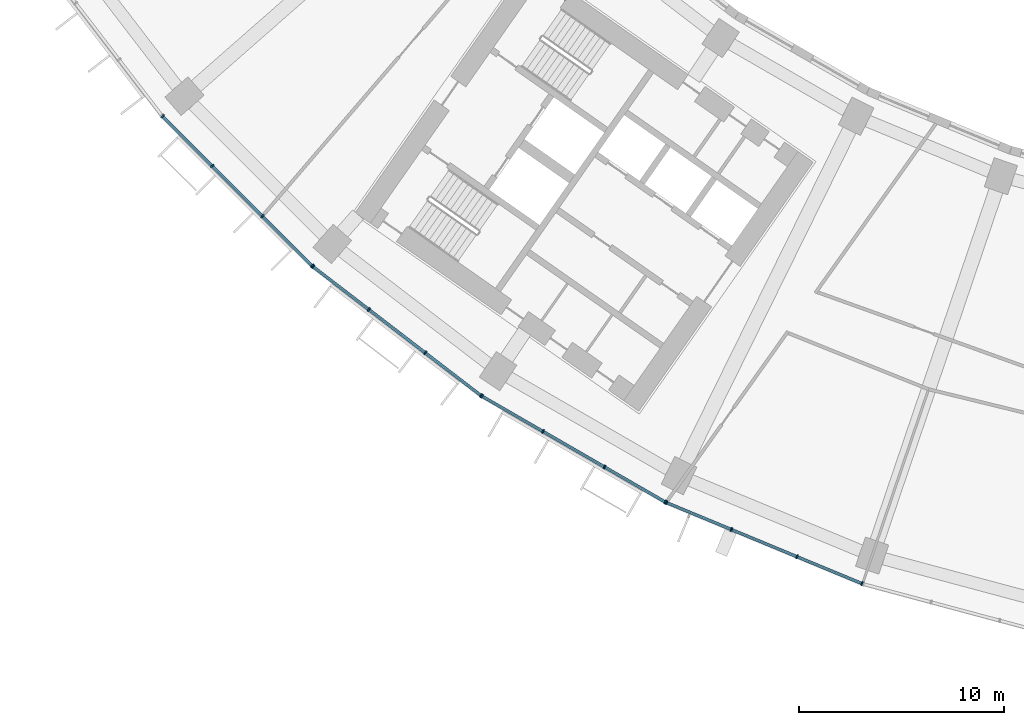
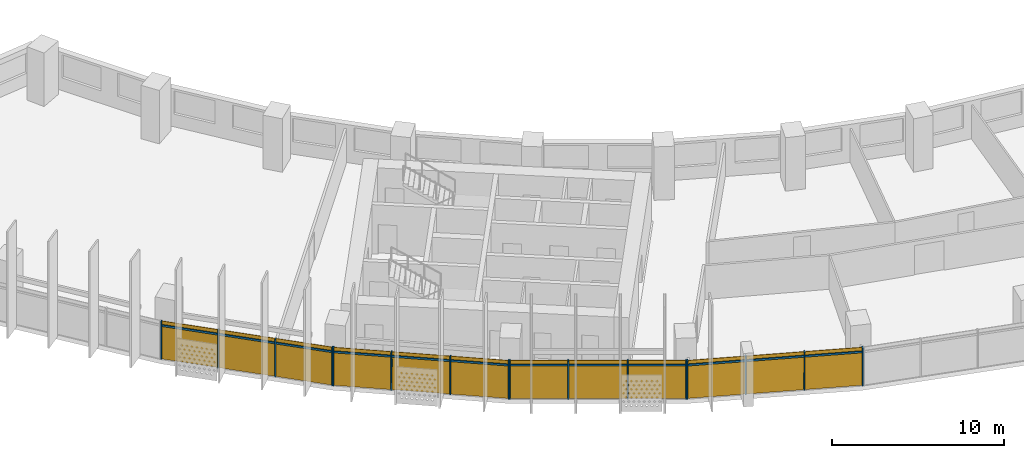
# One storey, part 18 of 30: 28 members, 4 curtain walls.
"""IFC4 building model written with IfcOpenShell, lengths in metres."""

from ifc_helpers import new_model, si_unit, direction, frame, origin, origin_2d, place, context, subcontext, project, spatial, rectangle, extrude, material, material_profile, profile_set, type_object, element, aggregate, save


model = new_model("IFC4")

# Units and contexts
model_context = context("Model", 3, precision=1e-05, world=origin(), true_north=direction((0.0, 1.0)))
body_context = subcontext(model_context, "Body", "Model", "MODEL_VIEW")
ifc_project = project(units=[si_unit("LENGTHUNIT", "METRE"), si_unit("AREAUNIT", "SQUARE_METRE"), si_unit("VOLUMEUNIT", "CUBIC_METRE"), si_unit("PLANEANGLEUNIT", "RADIAN"), si_unit("MASSUNIT", "GRAM", prefix="KILO")], contexts=[model_context])

# Member
ifc_material = material(Name="Aluminium 6063-T6 anodised", Category="aluminium")
ifc_material_profile_1 = material_profile(ifc_material, rectangle(XDim=0.199951171875, YDim=0.070068359375, at=origin_2d()))
ifc_profile_set_1 = profile_set([ifc_material_profile_1], Name="Aluminium 6063-T6 anodised")
member_type_1 = type_object("IfcMemberType", Name="Mullion 70 x 200 aluminium", PredefinedType="MULLION", material=ifc_profile_set_1)
site_placement = place(None, origin())
building_placement = place(site_placement, origin())
storey_placement = place(building_placement, frame((0.0, 0.0, 102.5)))
member_1_placement = place(storey_placement, frame((-59.525390625, -52.240234375, 0.0), z_axis=(0.0, 0.0, 1.0), x_axis=(0.707106781187, 0.707106781187, 0.0)))
member_1 = element("IfcMember", 1, at=member_1_placement, type_object=member_type_1, Name="e-cw1-L22-out03/M00", PredefinedType="MULLION", context=body_context, shape_type="SweptSolid", body=[
    extrude(rectangle(XDim=0.199951171875, YDim=0.070068359375, at=origin_2d()), origin(), (0.0, 0.0, 1.0), 2.699951171875),
])

member_2_placement = place(storey_placement, frame((-57.105224609375, -54.660400390625, 0.0), z_axis=(0.0, 0.0, 1.0), x_axis=(0.707106781187, 0.707106781187, 0.0)))
member_2 = element("IfcMember", 2, at=member_2_placement, type_object=member_type_1, Name="e-cw1-L22-out03/M01", PredefinedType="MULLION", context=body_context, shape_type="SweptSolid", body=[
    extrude(rectangle(XDim=0.199951171875, YDim=0.070068359375, at=origin_2d()), origin(), (0.0, 0.0, 1.0), 2.699951171875),
])

member_3_placement = place(storey_placement, frame((-54.660400390625, -57.105224609375, 0.0), z_axis=(0.0, 0.0, 1.0), x_axis=(0.707106781187, 0.707106781187, 0.0)))
member_3 = element("IfcMember", 3, at=member_3_placement, type_object=member_type_1, Name="e-cw1-L22-out03/M02", PredefinedType="MULLION", context=body_context, shape_type="SweptSolid", body=[
    extrude(rectangle(XDim=0.199951171875, YDim=0.070068359375, at=origin_2d()), origin(), (0.0, 0.0, 1.0), 2.699951171875),
])

member_4_placement = place(storey_placement, frame((-52.240234375, -59.525390625, 0.0), z_axis=(0.0, 0.0, 1.0), x_axis=(0.707106781187, 0.707106781187, 0.0)))
member_4 = element("IfcMember", 4, at=member_4_placement, type_object=member_type_1, Name="e-cw1-L22-out03/M03", PredefinedType="MULLION", context=body_context, shape_type="SweptSolid", body=[
    extrude(rectangle(XDim=0.199951171875, YDim=0.070068359375, at=origin_2d()), origin(), (0.0, 0.0, 1.0), 2.699951171875),
])

member_5_placement = place(storey_placement, frame((-52.197509765625, -59.56298828125, 0.0), z_axis=(0.0, 0.0, 1.0), x_axis=(0.608761429009, 0.793353340291, 0.0)))
member_5 = element("IfcMember", 5, at=member_5_placement, type_object=member_type_1, Name="e-cw1-L22-out04/M00", PredefinedType="MULLION", context=body_context, shape_type="SweptSolid", body=[
    extrude(rectangle(XDim=0.199951171875, YDim=0.070068359375, at=origin_2d()), origin(), (0.0, 0.0, 1.0), 2.699951171875),
])

member_6_placement = place(storey_placement, frame((-49.482177734375, -61.646484375, 0.0), z_axis=(0.0, 0.0, 1.0), x_axis=(0.608761429009, 0.793353340291, 0.0)))
member_6 = element("IfcMember", 6, at=member_6_placement, type_object=member_type_1, Name="e-cw1-L22-out04/M01", PredefinedType="MULLION", context=body_context, shape_type="SweptSolid", body=[
    extrude(rectangle(XDim=0.199951171875, YDim=0.070068359375, at=origin_2d()), origin(), (0.0, 0.0, 1.0), 2.699951171875),
])

member_7_placement = place(storey_placement, frame((-46.739013671875, -63.751220703125, 0.0), z_axis=(0.0, 0.0, 1.0), x_axis=(0.608761429009, 0.793353340291, 0.0)))
member_7 = element("IfcMember", 7, at=member_7_placement, type_object=member_type_1, Name="e-cw1-L22-out04/M02", PredefinedType="MULLION", context=body_context, shape_type="SweptSolid", body=[
    extrude(rectangle(XDim=0.199951171875, YDim=0.070068359375, at=origin_2d()), origin(), (0.0, 0.0, 1.0), 2.699951171875),
])

member_8_placement = place(storey_placement, frame((-44.023681640625, -65.8349609375, 0.0), z_axis=(0.0, 0.0, 1.0), x_axis=(0.608761429009, 0.793353340291, 0.0)))
member_8 = element("IfcMember", 8, at=member_8_placement, type_object=member_type_1, Name="e-cw1-L22-out04/M03", PredefinedType="MULLION", context=body_context, shape_type="SweptSolid", body=[
    extrude(rectangle(XDim=0.199951171875, YDim=0.070068359375, at=origin_2d()), origin(), (0.0, 0.0, 1.0), 2.699951171875),
])

member_9_placement = place(storey_placement, frame((-43.976318359375, -65.866455078125, 0.0), z_axis=(0.0, 0.0, 1.0), x_axis=(0.5, 0.866025403784, 0.0)))
member_9 = element("IfcMember", 9, at=member_9_placement, type_object=member_type_1, Name="e-cw1-L22-out05/M00", PredefinedType="MULLION", context=body_context, shape_type="SweptSolid", body=[
    extrude(rectangle(XDim=0.199951171875, YDim=0.070068359375, at=origin_2d()), origin(), (0.0, 0.0, 1.0), 2.699951171875),
])

member_10_placement = place(storey_placement, frame((-41.01220703125, -67.577880859375, 0.0), z_axis=(0.0, 0.0, 1.0), x_axis=(0.5, 0.866025403784, 0.0)))
member_10 = element("IfcMember", 10, at=member_10_placement, type_object=member_type_1, Name="e-cw1-L22-out05/M01", PredefinedType="MULLION", context=body_context, shape_type="SweptSolid", body=[
    extrude(rectangle(XDim=0.199951171875, YDim=0.070068359375, at=origin_2d()), origin(), (0.0, 0.0, 1.0), 2.699951171875),
])

member_11_placement = place(storey_placement, frame((-38.017822265625, -69.306640625, 0.0), z_axis=(0.0, 0.0, 1.0), x_axis=(0.5, 0.866025403784, 0.0)))
member_11 = element("IfcMember", 11, at=member_11_placement, type_object=member_type_1, Name="e-cw1-L22-out05/M02", PredefinedType="MULLION", context=body_context, shape_type="SweptSolid", body=[
    extrude(rectangle(XDim=0.199951171875, YDim=0.070068359375, at=origin_2d()), origin(), (0.0, 0.0, 1.0), 2.699951171875),
])

member_12_placement = place(storey_placement, frame((-35.0537109375, -71.017822265625, 0.0), z_axis=(0.0, 0.0, 1.0), x_axis=(0.5, 0.866025403784, 0.0)))
member_12 = element("IfcMember", 12, at=member_12_placement, type_object=member_type_1, Name="e-cw1-L22-out05/M03", PredefinedType="MULLION", context=body_context, shape_type="SweptSolid", body=[
    extrude(rectangle(XDim=0.199951171875, YDim=0.070068359375, at=origin_2d()), origin(), (0.0, 0.0, 1.0), 2.699951171875),
])

member_13_placement = place(storey_placement, frame((-35.0029296875, -71.04296875, 0.0), z_axis=(0.0, 0.0, 1.0), x_axis=(0.382683432365, 0.923879532511, 0.0)))
member_13 = element("IfcMember", 13, at=member_13_placement, type_object=member_type_1, Name="e-cw1-L22-out06/M00", PredefinedType="MULLION", context=body_context, shape_type="SweptSolid", body=[
    extrude(rectangle(XDim=0.199951171875, YDim=0.070068359375, at=origin_2d()), origin(), (0.0, 0.0, 1.0), 2.699951171875),
])

member_14_placement = place(storey_placement, frame((-31.8408203125, -72.352783203125, 0.0), z_axis=(0.0, 0.0, 1.0), x_axis=(0.382683432365, 0.923879532511, 0.0)))
member_14 = element("IfcMember", 14, at=member_14_placement, type_object=member_type_1, Name="e-cw1-L22-out06/M01", PredefinedType="MULLION", context=body_context, shape_type="SweptSolid", body=[
    extrude(rectangle(XDim=0.199951171875, YDim=0.070068359375, at=origin_2d()), origin(), (0.0, 0.0, 1.0), 2.699951171875),
])

member_15_placement = place(storey_placement, frame((-28.646240234375, -73.676025390625, 0.0), z_axis=(0.0, 0.0, 1.0), x_axis=(0.382683432365, 0.923879532511, 0.0)))
member_15 = element("IfcMember", 15, at=member_15_placement, type_object=member_type_1, Name="e-cw1-L22-out06/M02", PredefinedType="MULLION", context=body_context, shape_type="SweptSolid", body=[
    extrude(rectangle(XDim=0.199951171875, YDim=0.070068359375, at=origin_2d()), origin(), (0.0, 0.0, 1.0), 2.699951171875),
])

member_16_placement = place(storey_placement, frame((-25.484130859375, -74.98583984375, 0.0), z_axis=(0.0, 0.0, 1.0), x_axis=(0.382683432365, 0.923879532511, 0.0)))
member_16 = element("IfcMember", 16, at=member_16_placement, type_object=member_type_1, Name="e-cw1-L22-out06/M03", PredefinedType="MULLION", context=body_context, shape_type="SweptSolid", body=[
    extrude(rectangle(XDim=0.199951171875, YDim=0.070068359375, at=origin_2d()), origin(), (0.0, 0.0, 1.0), 2.699951171875),
])

ifc_material_profile_2 = material_profile(ifc_material, rectangle(XDim=0.139892578125, YDim=0.1201171875, at=origin_2d()))
ifc_profile_set_2 = profile_set([ifc_material_profile_2], Name="Aluminium 6063-T6 anodised")
member_type_2 = type_object("IfcMemberType", Name="Transom 120 x 140 aluminium", PredefinedType="USERDEFINED", material=ifc_profile_set_2)
member_17_placement = place(storey_placement, frame((-59.500732421875, -52.264892578125, 2.39990234375), z_axis=(0.707106781187, -0.707106781187, 0.0), x_axis=(0.707106781187, 0.707106781187, 0.0)))
member_17 = element("IfcMember", 17, at=member_17_placement, type_object=member_type_2, Name="e-cw1-L22-out03/T00", ObjectType="TRANSOM", PredefinedType="USERDEFINED", context=body_context, shape_type="SweptSolid", body=[
    extrude(rectangle(XDim=0.139892578125, YDim=0.1201171875, at=origin_2d()), origin(), (0.0, 0.0, 1.0), 3.3525390625),
])

member_18_placement = place(storey_placement, frame((-57.08056640625, -54.68505859375, 2.39990234375), z_axis=(0.707106781187, -0.707106781187, 0.0), x_axis=(0.707106781187, 0.707106781187, 0.0)))
member_18 = element("IfcMember", 18, at=member_18_placement, type_object=member_type_2, Name="e-cw1-L22-out03/T01", ObjectType="TRANSOM", PredefinedType="USERDEFINED", context=body_context, shape_type="SweptSolid", body=[
    extrude(rectangle(XDim=0.139892578125, YDim=0.1201171875, at=origin_2d()), origin(), (0.0, 0.0, 1.0), 3.3876953125),
])

member_19_placement = place(storey_placement, frame((-54.635498046875, -57.130126953125, 2.39990234375), z_axis=(0.707106781187, -0.707106781187, 0.0), x_axis=(0.707106781187, 0.707106781187, 0.0)))
member_19 = element("IfcMember", 19, at=member_19_placement, type_object=member_type_2, Name="e-cw1-L22-out03/T02", ObjectType="TRANSOM", PredefinedType="USERDEFINED", context=body_context, shape_type="SweptSolid", body=[
    extrude(rectangle(XDim=0.139892578125, YDim=0.1201171875, at=origin_2d()), origin(), (0.0, 0.0, 1.0), 3.3525390625),
])

member_20_placement = place(storey_placement, frame((-52.169677734375, -59.584228515625, 2.39990234375), z_axis=(0.793354308621, -0.608760167055, 0.0), x_axis=(0.608760167055, 0.793354308621, 0.0)))
member_20 = element("IfcMember", 20, at=member_20_placement, type_object=member_type_2, Name="e-cw1-L22-out04/T00", ObjectType="TRANSOM", PredefinedType="USERDEFINED", context=body_context, shape_type="SweptSolid", body=[
    extrude(rectangle(XDim=0.139892578125, YDim=0.1201171875, at=origin_2d()), origin(), (0.0, 0.0, 1.0), 3.352783203125),
])

member_21_placement = place(storey_placement, frame((-49.454345703125, -61.667724609375, 2.39990234375), z_axis=(0.793344133173, -0.608773427772, 0.0), x_axis=(0.608773427772, 0.793344133173, 0.0)))
member_21 = element("IfcMember", 21, at=member_21_placement, type_object=member_type_2, Name="e-cw1-L22-out04/T01", ObjectType="TRANSOM", PredefinedType="USERDEFINED", context=body_context, shape_type="SweptSolid", body=[
    extrude(rectangle(XDim=0.139892578125, YDim=0.1201171875, at=origin_2d()), origin(), (0.0, 0.0, 1.0), 3.387451171875),
])

member_22_placement = place(storey_placement, frame((-46.711181640625, -63.772705078125, 2.39990234375), z_axis=(0.793389477316, -0.608714331426, 0.0), x_axis=(0.608714331426, 0.793389477316, 0.0)))
member_22 = element("IfcMember", 22, at=member_22_placement, type_object=member_type_2, Name="e-cw1-L22-out04/T02", ObjectType="TRANSOM", PredefinedType="USERDEFINED", context=body_context, shape_type="SweptSolid", body=[
    extrude(rectangle(XDim=0.139892578125, YDim=0.1201171875, at=origin_2d()), origin(), (0.0, 0.0, 1.0), 3.3525390625),
])

member_23_placement = place(storey_placement, frame((-43.946044921875, -65.884033203125, 2.39990234375), z_axis=(0.866020654818, -0.50000822536, 0.0), x_axis=(0.50000822536, 0.866020654818, 0.0)))
member_23 = element("IfcMember", 23, at=member_23_placement, type_object=member_type_2, Name="e-cw1-L22-out05/T00", ObjectType="TRANSOM", PredefinedType="USERDEFINED", context=body_context, shape_type="SweptSolid", body=[
    extrude(rectangle(XDim=0.139892578125, YDim=0.1201171875, at=origin_2d()), origin(), (0.0, 0.0, 1.0), 3.3525390625),
])

member_24_placement = place(storey_placement, frame((-40.98193359375, -67.59521484375, 2.39990234375), z_axis=(0.866025971257, -0.499999017107, 0.0), x_axis=(0.499999017107, 0.866025971257, 0.0)))
member_24 = element("IfcMember", 24, at=member_24_placement, type_object=member_type_2, Name="e-cw1-L22-out05/T01", ObjectType="TRANSOM", PredefinedType="USERDEFINED", context=body_context, shape_type="SweptSolid", body=[
    extrude(rectangle(XDim=0.139892578125, YDim=0.1201171875, at=origin_2d()), origin(), (0.0, 0.0, 1.0), 3.3876953125),
])

member_25_placement = place(storey_placement, frame((-37.987548828125, -69.323974609375, 2.39990234375), z_axis=(0.865989120267, -0.50006283963, 0.0), x_axis=(0.50006283963, 0.865989120267, 0.0)))
member_25 = element("IfcMember", 25, at=member_25_placement, type_object=member_type_2, Name="e-cw1-L22-out05/T02", ObjectType="TRANSOM", PredefinedType="USERDEFINED", context=body_context, shape_type="SweptSolid", body=[
    extrude(rectangle(XDim=0.139892578125, YDim=0.1201171875, at=origin_2d()), origin(), (0.0, 0.0, 1.0), 3.3525390625),
])

member_26_placement = place(storey_placement, frame((-34.970458984375, -71.056396484375, 2.39990234375), z_axis=(0.923882814237, -0.382675509483, 0.0), x_axis=(0.382675509483, 0.923882814237, 0.0)))
member_26 = element("IfcMember", 26, at=member_26_placement, type_object=member_type_2, Name="e-cw1-L22-out06/T00", ObjectType="TRANSOM", PredefinedType="USERDEFINED", context=body_context, shape_type="SweptSolid", body=[
    extrude(rectangle(XDim=0.139892578125, YDim=0.1201171875, at=origin_2d()), origin(), (0.0, 0.0, 1.0), 3.3525390625),
])

member_27_placement = place(storey_placement, frame((-31.808349609375, -72.3662109375, 2.39990234375), z_axis=(0.923874529423, -0.382695510666, 0.0), x_axis=(0.382695510666, 0.923874529423, 0.0)))
member_27 = element("IfcMember", 27, at=member_27_placement, type_object=member_type_2, Name="e-cw1-L22-out06/T01", ObjectType="TRANSOM", PredefinedType="USERDEFINED", context=body_context, shape_type="SweptSolid", body=[
    extrude(rectangle(XDim=0.139892578125, YDim=0.1201171875, at=origin_2d()), origin(), (0.0, 0.0, 1.0), 3.387451171875),
])

member_28_placement = place(storey_placement, frame((-28.614013671875, -73.689453125, 2.39990234375), z_axis=(0.923882814237, -0.382675509483, 0.0), x_axis=(0.382675509483, 0.923882814237, 0.0)))
member_28 = element("IfcMember", 28, at=member_28_placement, type_object=member_type_2, Name="e-cw1-L22-out06/T02", ObjectType="TRANSOM", PredefinedType="USERDEFINED", context=body_context, shape_type="SweptSolid", body=[
    extrude(rectangle(XDim=0.139892578125, YDim=0.1201171875, at=origin_2d()), origin(), (0.0, 0.0, 1.0), 3.3525390625),
])

# Site, building, storey
site = spatial("IfcSite", under=ifc_project, at=site_placement, CompositionType="ELEMENT")
building = spatial("IfcBuilding", under=site, at=building_placement, Name="Qamariyya Broadcast Tower", CompositionType="ELEMENT")
storey = spatial("IfcBuildingStorey", under=building, at=storey_placement, Name="L22", CompositionType="ELEMENT", Elevation=102.5)

# Curtain wall
curtain_wall_type = type_object("IfcCurtainWallType", Name="Unitised curtain wall, anodised aluminium", PredefinedType="NOTDEFINED", material=ifc_material)
curtain_wall_1_placement = place(storey_placement, origin())
curtain_wall_1 = element("IfcCurtainWall", 29, at=curtain_wall_1_placement, inside=storey, type_object=curtain_wall_type, Name="e-cw1-L22-out03", PredefinedType="NOTDEFINED", context=body_context, shape_type="SweptSolid", body=[
    extrude(rectangle(XDim=3.352783203125, YDim=0.031982421875, at=origin_2d()), frame((-58.3154296875, -53.4501953125, 0.0), x_axis=(0.707106781187, -0.707106781187, 0.0)), (0.0, 0.0, 1.0), 2.340087890625),
    extrude(rectangle(XDim=3.352783203125, YDim=0.031982421875, at=origin_2d()), frame((-58.3154296875, -53.4501953125, 2.4599609375), x_axis=(0.707106781187, -0.707106781187, 0.0)), (0.0, 0.0, 1.0), 0.239990234375),
    extrude(rectangle(XDim=3.3876953125, YDim=0.031982421875, at=origin_2d()), frame((-55.8828125, -55.8828125, 0.0), x_axis=(0.707106781187, -0.707106781187, 0.0)), (0.0, 0.0, 1.0), 2.340087890625),
    extrude(rectangle(XDim=3.3876953125, YDim=0.031982421875, at=origin_2d()), frame((-55.8828125, -55.8828125, 2.4599609375), x_axis=(0.707106781187, -0.707106781187, 0.0)), (0.0, 0.0, 1.0), 0.239990234375),
    extrude(rectangle(XDim=3.352783203125, YDim=0.031982421875, at=origin_2d()), frame((-53.4501953125, -58.3154296875, 0.0), x_axis=(0.707106781187, -0.707106781187, 0.0)), (0.0, 0.0, 1.0), 2.340087890625),
    extrude(rectangle(XDim=3.352783203125, YDim=0.031982421875, at=origin_2d()), frame((-53.4501953125, -58.3154296875, 2.4599609375), x_axis=(0.707106781187, -0.707106781187, 0.0)), (0.0, 0.0, 1.0), 0.239990234375),
])

aggregate(curtain_wall_1, [member_1, member_2, member_3, member_4, member_17, member_18, member_19])

curtain_wall_2_placement = place(storey_placement, origin())
curtain_wall_2 = element("IfcCurtainWall", 30, at=curtain_wall_2_placement, inside=storey, type_object=curtain_wall_type, Name="e-cw1-L22-out04", PredefinedType="NOTDEFINED", context=body_context, shape_type="SweptSolid", body=[
    extrude(rectangle(XDim=3.352783203125, YDim=0.031982421875, at=origin_2d()), frame((-50.83984375, -60.6044921875, 0.0), x_axis=(0.793354000839, -0.608760568165, 0.0)), (0.0, 0.0, 1.0), 2.340087890625),
    extrude(rectangle(XDim=3.352783203125, YDim=0.031982421875, at=origin_2d()), frame((-50.83984375, -60.6044921875, 2.4599609375), x_axis=(0.793354000839, -0.608760568165, 0.0)), (0.0, 0.0, 1.0), 0.239990234375),
    extrude(rectangle(XDim=3.3876953125, YDim=0.031982421875, at=origin_2d()), frame((-48.110595703125, -62.69873046875, 0.0), x_axis=(0.793354000839, -0.608760568165, 0.0)), (0.0, 0.0, 1.0), 2.340087890625),
    extrude(rectangle(XDim=3.3876953125, YDim=0.031982421875, at=origin_2d()), frame((-48.110595703125, -62.69873046875, 2.4599609375), x_axis=(0.793354000839, -0.608760568165, 0.0)), (0.0, 0.0, 1.0), 0.239990234375),
    extrude(rectangle(XDim=3.352783203125, YDim=0.031982421875, at=origin_2d()), frame((-45.38134765625, -64.793212890625, 0.0), x_axis=(0.793354000839, -0.608760568165, 0.0)), (0.0, 0.0, 1.0), 2.340087890625),
    extrude(rectangle(XDim=3.352783203125, YDim=0.031982421875, at=origin_2d()), frame((-45.38134765625, -64.793212890625, 2.4599609375), x_axis=(0.793354000839, -0.608760568165, 0.0)), (0.0, 0.0, 1.0), 0.239990234375),
])

aggregate(curtain_wall_2, [member_5, member_6, member_7, member_8, member_20, member_21, member_22])

curtain_wall_3_placement = place(storey_placement, origin())
curtain_wall_3 = element("IfcCurtainWall", 31, at=curtain_wall_3_placement, inside=storey, type_object=curtain_wall_type, Name="e-cw1-L22-out05", PredefinedType="NOTDEFINED", context=body_context, shape_type="SweptSolid", body=[
    extrude(rectangle(XDim=3.352783203125, YDim=0.031982421875, at=origin_2d()), frame((-42.494384765625, -66.72216796875, 0.0), x_axis=(0.866027243369, -0.499996813733, 0.0)), (0.0, 0.0, 1.0), 2.340087890625),
    extrude(rectangle(XDim=3.352783203125, YDim=0.031982421875, at=origin_2d()), frame((-42.494384765625, -66.72216796875, 2.4599609375), x_axis=(0.866027243369, -0.499996813733, 0.0)), (0.0, 0.0, 1.0), 0.239990234375),
    extrude(rectangle(XDim=3.3876953125, YDim=0.031982421875, at=origin_2d()), frame((-39.51513671875, -68.442138671875, 0.0), x_axis=(0.866027243369, -0.499996813733, 0.0)), (0.0, 0.0, 1.0), 2.340087890625),
    extrude(rectangle(XDim=3.3876953125, YDim=0.031982421875, at=origin_2d()), frame((-39.51513671875, -68.442138671875, 2.4599609375), x_axis=(0.866027243369, -0.499996813733, 0.0)), (0.0, 0.0, 1.0), 0.239990234375),
    extrude(rectangle(XDim=3.352783203125, YDim=0.031982421875, at=origin_2d()), frame((-36.535888671875, -70.162109375, 0.0), x_axis=(0.866027243369, -0.499996813733, 0.0)), (0.0, 0.0, 1.0), 2.340087890625),
    extrude(rectangle(XDim=3.352783203125, YDim=0.031982421875, at=origin_2d()), frame((-36.535888671875, -70.162109375, 2.4599609375), x_axis=(0.866027243369, -0.499996813733, 0.0)), (0.0, 0.0, 1.0), 0.239990234375),
])

aggregate(curtain_wall_3, [member_9, member_10, member_11, member_12, member_23, member_24, member_25])

curtain_wall_4_placement = place(storey_placement, origin())
curtain_wall_4 = element("IfcCurtainWall", 32, at=curtain_wall_4_placement, inside=storey, type_object=curtain_wall_type, Name="e-cw1-L22-out06", PredefinedType="NOTDEFINED", context=body_context, shape_type="SweptSolid", body=[
    extrude(rectangle(XDim=3.3525390625, YDim=0.031982421875, at=origin_2d()), frame((-33.421875, -71.69775390625, 0.0), x_axis=(0.923872250857, -0.382701011361, 0.0)), (0.0, 0.0, 1.0), 2.340087890625),
    extrude(rectangle(XDim=3.3525390625, YDim=0.031982421875, at=origin_2d()), frame((-33.421875, -71.69775390625, 2.4599609375), x_axis=(0.923872250857, -0.382701011361, 0.0)), (0.0, 0.0, 1.0), 0.239990234375),
    extrude(rectangle(XDim=3.3876953125, YDim=0.031982421875, at=origin_2d()), frame((-30.24365234375, -73.014404296875, 0.0), x_axis=(0.923872250857, -0.382701011361, 0.0)), (0.0, 0.0, 1.0), 2.340087890625),
    extrude(rectangle(XDim=3.3876953125, YDim=0.031982421875, at=origin_2d()), frame((-30.24365234375, -73.014404296875, 2.4599609375), x_axis=(0.923872250857, -0.382701011361, 0.0)), (0.0, 0.0, 1.0), 0.239990234375),
    extrude(rectangle(XDim=3.3525390625, YDim=0.031982421875, at=origin_2d()), frame((-27.065185546875, -74.3310546875, 0.0), x_axis=(0.923872250857, -0.382701011361, 0.0)), (0.0, 0.0, 1.0), 2.340087890625),
    extrude(rectangle(XDim=3.3525390625, YDim=0.031982421875, at=origin_2d()), frame((-27.065185546875, -74.3310546875, 2.4599609375), x_axis=(0.923872250857, -0.382701011361, 0.0)), (0.0, 0.0, 1.0), 0.239990234375),
])

aggregate(curtain_wall_4, [member_13, member_14, member_15, member_16, member_26, member_27, member_28])

save(model, "model.ifc")
